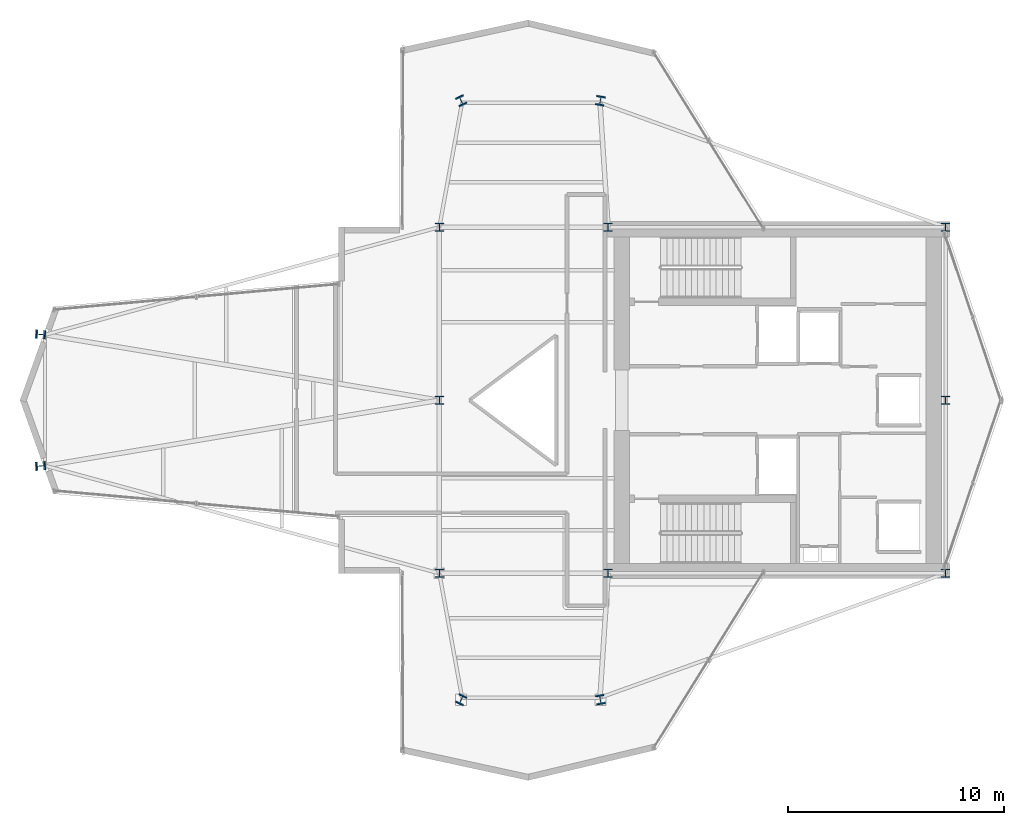
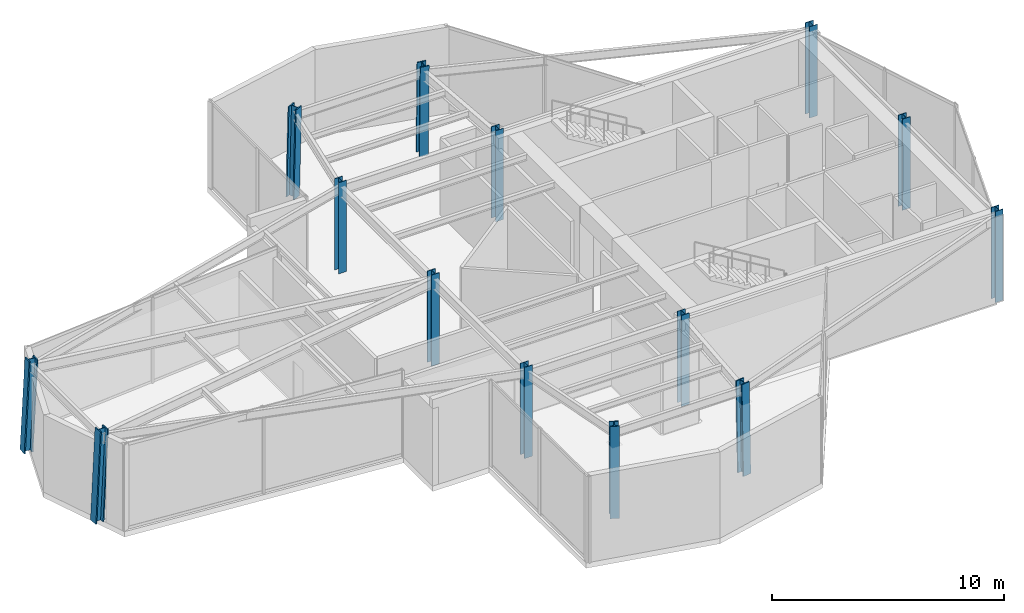
# One storey, part 1 of 14: 14 columns.
"""IFC4 building model written with IfcOpenShell, lengths in metres."""

from ifc_helpers import new_model, si_unit, direction, frame, origin, origin_2d, place, context, subcontext, project, spatial, i_section, extrude, material, material_profile, profile_set, type_object, element, save


model = new_model("IFC4")

# Units and contexts
model_context = context("Model", 3, precision=1e-05, world=origin(), true_north=direction((0.0, 1.0)))
body_context = subcontext(model_context, "Body", "Model", "MODEL_VIEW")
ifc_project = project(units=[si_unit("LENGTHUNIT", "METRE"), si_unit("AREAUNIT", "SQUARE_METRE"), si_unit("VOLUMEUNIT", "CUBIC_METRE"), si_unit("PLANEANGLEUNIT", "RADIAN"), si_unit("MASSUNIT", "GRAM", prefix="KILO")], contexts=[model_context])

# Site, building, storey
site_placement = place(None, origin())
site = spatial("IfcSite", under=ifc_project, at=site_placement, CompositionType="ELEMENT")
building_placement = place(site_placement, origin())
building = spatial("IfcBuilding", under=site, at=building_placement, Name="Veymaron Broadcast Tower", CompositionType="ELEMENT")
storey_placement = place(building_placement, frame((0.0, 0.0, 187.050048828125)))
storey = spatial("IfcBuildingStorey", under=building, at=storey_placement, Name="L43", CompositionType="ELEMENT", Elevation=187.050048828125)

# Columns
ifc_material_1 = material(Name="Structural steel ASTM A992 Gr 50", Category="steel")
ifc_material_profile_1 = material_profile(ifc_material_1, i_section(OverallWidth=0.39404296875, OverallDepth=0.375, WebThickness=0.017333984375, FlangeThickness=0.027587890625, at=origin_2d()), Name="W360X216")
ifc_profile_set_1 = profile_set([ifc_material_profile_1], Name="Structural steel ASTM A992 Gr 50")
column_type_1 = type_object("IfcColumnType", Name="COL-HC3", PredefinedType="COLUMN", material=ifc_profile_set_1)
for number, where, z_axis, x_axis, name in (
    (1, (31.199951171875, 16.0, 0.0), (0.0, 0.0, 1.0), (1.0, 0.0, 0.0), "L43 structural hub and core column"),
    (2, (31.199951171875, 24.0, 0.0), (0.0, 0.0, 1.0), (1.0, 0.0, 0.0), "L43 structural hub and core column"),
    (3, (31.199951171875, 32.0, 0.0), (0.0, 0.0, 1.0), (1.0, 0.0, 0.0), "L43 structural hub and core column"),
    (4, (39.0, 16.0, 0.0), (0.0, 0.0, 1.0), (1.0, 0.0, 0.0), "L43 structural hub and core column"),
    (5, (39.0, 32.0, 0.0), (0.0, 0.0, 1.0), (1.0, 0.0, 0.0), "L43 structural hub and core column"),
    (6, (54.60009765625, 16.0, 0.0), (0.0, 0.0, 1.0), (1.0, 0.0, 0.0), "L43 structural hub and core column"),
    (7, (54.60009765625, 24.0, 0.0), (0.0, 0.0, 1.0), (1.0, 0.0, 0.0), "L43 structural hub and core column"),
    (8, (54.60009765625, 32.0, 0.0), (0.0, 0.0, 1.0), (1.0, 0.0, 0.0), "L43 structural hub and core column"),
):
    element("IfcColumn", number, at=place(storey_placement, frame(where, z_axis=z_axis, x_axis=x_axis)), inside=storey, type_object=column_type_1, Name=name, PredefinedType="COLUMN", context=body_context, shape_type="SweptSolid", body=[
        extrude(i_section(OverallWidth=0.39404296875, OverallDepth=0.375, WebThickness=0.017333984375, FlangeThickness=0.027587890625, at=origin_2d()), origin(), (0.0, 0.0, 1.0), 4.7939453125),
    ])
ifc_material_2 = material(Name="Structural steel ASTM A913 Gr 65", Category="steel")
ifc_material_profile_2 = material_profile(ifc_material_2, i_section(OverallWidth=0.412109375, OverallDepth=0.43505859375, WebThickness=0.035888671875, FlangeThickness=0.05810546875, at=origin_2d()), Name="W360X463")
ifc_profile_set_2 = profile_set([ifc_material_profile_2], Name="Structural steel ASTM A913 Gr 65")
column_type_2 = type_object("IfcColumnType", Name="COL-MC3", PredefinedType="COLUMN", material=ifc_profile_set_2)
for number, where, z_axis, x_axis, name in (
    (9, (12.740478515625, 20.9580078125, 0.015869140625), (0.049146571443, 0.003579875131, 0.998785161589), (-0.072648317785, 0.997357619875, 0.0), "L43 Tapered Wing Mega Column"),
    (10, (12.740478515625, 27.0419921875, 0.015869140625), (0.049146571443, -0.003579875131, 0.998785161589), (0.072648317785, 0.997357619875, 0.0), "L43 Tapered Wing Mega Column"),
):
    element("IfcColumn", number, at=place(storey_placement, frame(where, z_axis=z_axis, x_axis=x_axis)), inside=storey, type_object=column_type_2, Name=name, PredefinedType="COLUMN", context=body_context, shape_type="SweptSolid", body=[
        extrude(i_section(OverallWidth=0.412109375, OverallDepth=0.43505859375, WebThickness=0.035888671875, FlangeThickness=0.05810546875, at=origin_2d()), origin(), (0.0, 0.0, 1.0), 4.77392578125),
    ])
for number, where, z_axis, x_axis, name in (
    (11, (32.202392578125, 37.85205078125, 0.015869140625), (0.009981855565, -0.02139700321, 0.999721226549), (0.906238519971, 0.422766773671, 0.0), "L43 Tapered Wing Mega Column"),
    (12, (38.64208984375, 37.85205078125, 0.015869140625), (-0.003583385721, -0.021397931878, 0.999764616226), (0.986266087092, -0.165164177264, 0.0), "L43 Tapered Wing Mega Column"),
    (13, (32.202392578125, 10.14794921875, 0.015869140625), (0.009981855565, 0.02139700321, 0.999721226549), (-0.906238519971, 0.422766773671, 0.0), "L43 Tapered Wing Mega Column"),
    (14, (38.64208984375, 10.14794921875, 0.015869140625), (-0.003583385721, 0.021397931878, 0.999764616226), (-0.986266087092, -0.165164177264, 0.0), "L43 Tapered Wing Mega Column"),
):
    element("IfcColumn", number, at=place(storey_placement, frame(where, z_axis=z_axis, x_axis=x_axis)), inside=storey, type_object=column_type_2, Name=name, PredefinedType="COLUMN", context=body_context, shape_type="SweptSolid", body=[
        extrude(i_section(OverallWidth=0.412109375, OverallDepth=0.43505859375, WebThickness=0.035888671875, FlangeThickness=0.05810546875, at=origin_2d()), origin(), (0.0, 0.0, 1.0), 4.769287109375),
    ])

save(model, "model.ifc")
